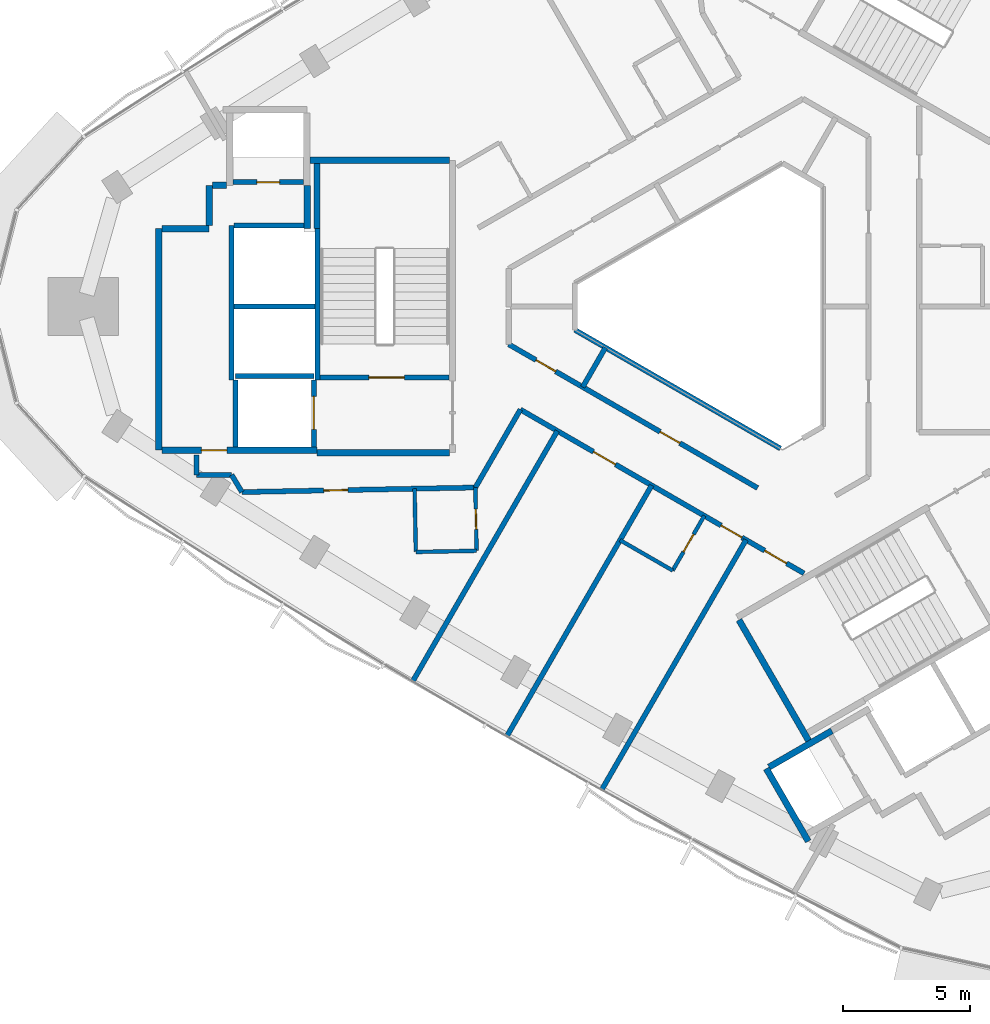
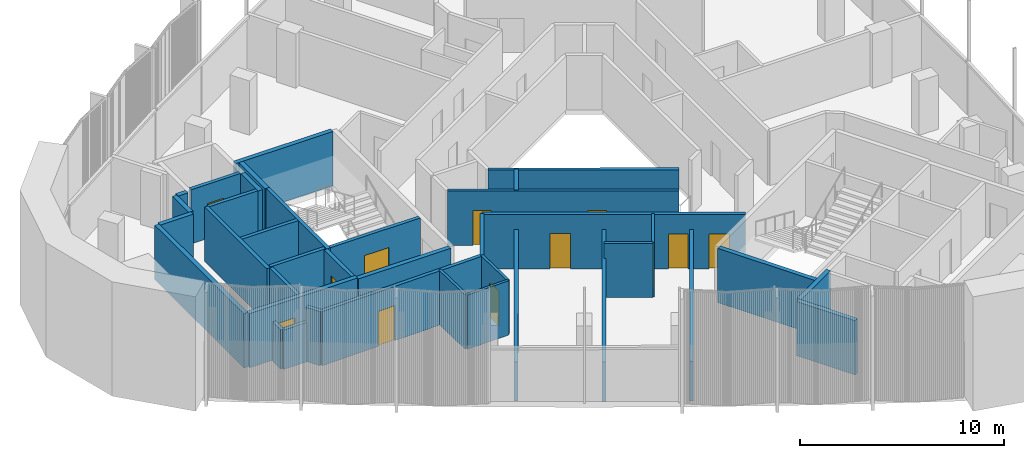
# One storey, part 8 of 16: 38 walls, 12 doors, 12 openings.
"""IFC4 building model written with IfcOpenShell, lengths in metres."""

from ifc_helpers import new_model, si_unit, direction, frame, frame_2d, origin, place, context, subcontext, project, spatial, rectangle, extrude, material, layer, layer_set, type_object, element, fill, save


model = new_model("IFC4")

# Units and contexts
model_context = context("Model", 3, precision=1e-05, world=origin(), true_north=direction((0.0, 1.0)))
body_context = subcontext(model_context, "Body", "Model", "MODEL_VIEW")
ifc_project = project(units=[si_unit("LENGTHUNIT", "METRE"), si_unit("AREAUNIT", "SQUARE_METRE"), si_unit("VOLUMEUNIT", "CUBIC_METRE"), si_unit("PLANEANGLEUNIT", "RADIAN"), si_unit("MASSUNIT", "GRAM", prefix="KILO")], contexts=[model_context])

# Site, building, storey
site_placement = place(None, origin())
site = spatial("IfcSite", under=ifc_project, at=site_placement, CompositionType="ELEMENT")
building_placement = place(site_placement, origin())
building = spatial("IfcBuilding", under=site, at=building_placement, Name="Tamra Quay Hotel Tower", CompositionType="ELEMENT")
storey_placement = place(building_placement, frame((0.0, 0.0, 232.199951171875)))
storey = spatial("IfcBuildingStorey", under=building, at=storey_placement, Name="L58", CompositionType="ELEMENT", Elevation=232.199951171875)

# Walls
ifc_material_1 = material(Name="Concrete M70", Category="concrete")
ifc_layer_1 = layer(ifc_material_1, 0.199951171875)
ifc_layer_set_1 = layer_set([ifc_layer_1], Name="Concrete M70 core wall 200")
wall_type_1 = type_object("IfcWallType", Name="Concrete M70 core wall 200", PredefinedType="SHEAR", material=ifc_layer_set_1)
wall_1_placement = place(storey_placement, frame((-16.162109375, 3.073974609375, 0.0), z_axis=(0.0, 0.0, 1.0), x_axis=(0.0, -1.0, 0.0)))
element("IfcWall", 1, at=wall_1_placement, inside=storey, type_object=wall_type_1, Name="CW2", PredefinedType="SHEAR", context=body_context, shape_type="SweptSolid", body=[
    extrude(rectangle(XDim=5.97412109375, YDim=0.199951171875, at=frame_2d((2.987060546875, 0.0))), origin(), (0.0, 0.0, 1.0), 3.25),
])
wall_2_placement = place(storey_placement, frame((-19.5625, -2.900146484375, 0.0), z_axis=(0.0, 0.0, 1.0), x_axis=(0.0, 1.0, 0.0)))
element("IfcWall", 2, at=wall_2_placement, inside=storey, type_object=wall_type_1, Name="CW2", PredefinedType="SHEAR", context=body_context, shape_type="SweptSolid", body=[
    extrude(rectangle(XDim=6.100341796875, YDim=0.199951171875, at=frame_2d((3.05029296875, 0.0))), origin(), (0.0, 0.0, 1.0), 3.25),
])

# Wall, opening, door
wall_3_placement = place(storey_placement, frame((-10.96337890625, -2.800048828125, 0.0), z_axis=(0.0, 0.0, 1.0), x_axis=(-1.0, 0.0, 0.0)))
wall_3 = element("IfcWall", 3, at=wall_3_placement, inside=storey, type_object=wall_type_1, Name="CW2", PredefinedType="SHEAR", context=body_context, shape_type="SweptSolid", body=[
    extrude(rectangle(XDim=5.097900390625, YDim=0.199951171875, at=frame_2d((2.548828125, 0.0))), origin(), (0.0, 0.0, 1.0), 3.25),
])
opening_1_placement = place(wall_3_placement, frame((1.77392578125, 0.0, 0.0)))
opening_1 = element("IfcOpeningElement", 4, at=opening_1_placement, cuts=wall_3, Name="Opening FD2", PredefinedType="OPENING", context=body_context, shape_type="SweptSolid", body=[
    extrude(rectangle(XDim=1.39990234375, YDim=2.10009765625, at=frame_2d((0.699951171875, 1.050048828125))), frame((0.0, 0.10986328125, 0.0), z_axis=(0.0, -1.0, 0.0), x_axis=(1.0, 0.0, 0.0)), (0.0, 0.0, 1.0), 0.219970703125),
])
ifc_material_2 = material(Name="Core door FD2 1400x2100 RH")
door_type_1 = type_object("IfcDoorType", Name="Core door FD2 1400x2100 RH", OperationType="NOTDEFINED", PredefinedType="DOOR", material=ifc_material_2)
door_1_placement = place(opening_1_placement, origin())
door_1 = element("IfcDoor", 5, at=door_1_placement, inside=storey, type_object=door_type_1, Name="FD2", OperationType="SINGLE_SWING_RIGHT", OverallHeight=2.10009765625, OverallWidth=1.39990234375, PredefinedType="DOOR", context=body_context, shape_type="SweptSolid", body=[
    extrude(rectangle(XDim=1.39990234375, YDim=2.10009765625, at=frame_2d((0.699951171875, 1.050048828125))), frame((0.0, 0.02490234375, 0.0), z_axis=(0.0, -1.0, 0.0), x_axis=(1.0, 0.0, 0.0)), (0.0, 0.0, 1.0), 0.050048828125),
])
fill(opening_1, door_1)

# Wall
wall_4_placement = place(storey_placement, frame((-16.26318359375, 0.0, 0.0), z_axis=(0.0, 0.0, 1.0), x_axis=(-1.0, 0.0, 0.0)))
element("IfcWall", 6, at=wall_4_placement, inside=storey, type_object=wall_type_1, Name="CW2", PredefinedType="SHEAR", context=body_context, shape_type="SweptSolid", body=[
    extrude(rectangle(XDim=3.1982421875, YDim=0.199951171875, at=frame_2d((1.59912109375, 0.0))), origin(), (0.0, 0.0, 1.0), 3.25),
])

# Wall, opening, door
wall_5_placement = place(storey_placement, frame((-19.51123046875, 4.91015625, 0.0), z_axis=(0.0, 0.0, 1.0), x_axis=(1.0, 0.0, 0.0)))
wall_5 = element("IfcWall", 7, at=wall_5_placement, inside=storey, type_object=wall_type_1, Name="CW2", PredefinedType="SHEAR", context=body_context, shape_type="SweptSolid", body=[
    extrude(rectangle(XDim=2.7978515625, YDim=0.199951171875, at=frame_2d((1.39892578125, 0.0))), origin(), (0.0, 0.0, 1.0), 3.25),
])
opening_2_placement = place(wall_5_placement, frame((0.948974609375, 0.0, 0.0)))
opening_2 = element("IfcOpeningElement", 8, at=opening_2_placement, cuts=wall_5, Name="Opening D1", PredefinedType="OPENING", context=body_context, shape_type="SweptSolid", body=[
    extrude(rectangle(XDim=0.89990234375, YDim=2.10009765625, at=frame_2d((0.449951171875, 1.050048828125))), frame((0.0, 0.10986328125, 0.0), z_axis=(0.0, -1.0, 0.0), x_axis=(1.0, 0.0, 0.0)), (0.0, 0.0, 1.0), 0.219970703125),
])
ifc_material_3 = material(Name="Core door D1 900x2100 LH")
door_type_2 = type_object("IfcDoorType", Name="Core door D1 900x2100 LH", OperationType="NOTDEFINED", PredefinedType="DOOR", material=ifc_material_3)
door_2_placement = place(opening_2_placement, origin())
door_2 = element("IfcDoor", 9, at=door_2_placement, inside=storey, type_object=door_type_2, Name="D1", OperationType="SINGLE_SWING_LEFT", OverallHeight=2.10009765625, OverallWidth=0.89990234375, PredefinedType="DOOR", context=body_context, shape_type="SweptSolid", body=[
    extrude(rectangle(XDim=0.89990234375, YDim=2.10009765625, at=frame_2d((0.449951171875, 1.050048828125))), frame((0.0, 0.02490234375, 0.0), z_axis=(0.0, -1.0, 0.0), x_axis=(1.0, 0.0, 0.0)), (0.0, 0.0, 1.0), 0.050048828125),
])
fill(opening_2, door_2)

# Walls
wall_6_placement = place(storey_placement, frame((-19.46240234375, 3.2001953125, 0.0), z_axis=(0.0, 0.0, 1.0), x_axis=(1.0, 0.0, 0.0)))
element("IfcWall", 10, at=wall_6_placement, inside=storey, type_object=wall_type_1, Name="CW2", PredefinedType="SHEAR", context=body_context, shape_type="SweptSolid", body=[
    extrude(rectangle(XDim=2.759033203125, YDim=0.199951171875, at=frame_2d((1.37939453125, 0.0))), origin(), (0.0, 0.0, 1.0), 3.25),
])
wall_7_placement = place(storey_placement, frame((-19.412353515625, -2.75, 0.0), z_axis=(0.0, 0.0, 1.0), x_axis=(1.0, 0.0, 0.0)))
element("IfcWall", 11, at=wall_7_placement, inside=storey, type_object=wall_type_1, Name="CW2", PredefinedType="SHEAR", context=body_context, shape_type="SweptSolid", body=[
    extrude(rectangle(XDim=3.10009765625, YDim=0.199951171875, at=frame_2d((1.550048828125, 0.0))), origin(), (0.0, 0.0, 1.0), 3.25),
])

# Wall, opening, door
wall_8_placement = place(storey_placement, frame((-16.312255859375, -2.898193359375, 0.0), z_axis=(0.0, 0.0, 1.0), x_axis=(0.0, -1.0, 0.0)))
wall_8 = element("IfcWall", 12, at=wall_8_placement, inside=storey, type_object=wall_type_1, Name="CW2", PredefinedType="SHEAR", context=body_context, shape_type="SweptSolid", body=[
    extrude(rectangle(XDim=2.65087890625, YDim=0.199951171875, at=frame_2d((1.325439453125, 0.0))), origin(), (0.0, 0.0, 1.0), 3.25),
])
opening_3_placement = place(wall_8_placement, frame((0.65185546875, 0.0, 0.0)))
opening_3 = element("IfcOpeningElement", 13, at=opening_3_placement, cuts=wall_8, Name="Opening LD", PredefinedType="OPENING", context=body_context, shape_type="SweptSolid", body=[
    extrude(rectangle(XDim=1.300048828125, YDim=2.10009765625, at=frame_2d((0.64990234375, 1.050048828125))), frame((0.0, 0.10986328125, 0.0), z_axis=(0.0, -1.0, 0.0), x_axis=(1.0, 0.0, 0.0)), (0.0, 0.0, 1.0), 0.219970703125),
])
ifc_material_4 = material(Name="Landing door LD 1300 sliding to right")
door_type_3 = type_object("IfcDoorType", Name="Landing door LD 1300 sliding to right", OperationType="NOTDEFINED", PredefinedType="DOOR", material=ifc_material_4)
door_3_placement = place(opening_3_placement, origin())
door_3 = element("IfcDoor", 14, at=door_3_placement, inside=storey, type_object=door_type_3, Name="LD", OperationType="SLIDING_TO_RIGHT", OverallHeight=2.10009765625, OverallWidth=1.300048828125, PredefinedType="DOOR", context=body_context, shape_type="SweptSolid", body=[
    extrude(rectangle(XDim=1.300048828125, YDim=2.10009765625, at=frame_2d((0.64990234375, 1.050048828125))), frame((0.0, 0.02490234375, 0.0), z_axis=(0.0, -1.0, 0.0), x_axis=(1.0, 0.0, 0.0)), (0.0, 0.0, 1.0), 0.050048828125),
])
fill(opening_3, door_3)

# Walls
wall_9_placement = place(storey_placement, frame((-19.412353515625, -5.549072265625, 0.0), z_axis=(0.0, 0.0, 1.0), x_axis=(0.0, 1.0, 0.0)))
element("IfcWall", 15, at=wall_9_placement, inside=storey, type_object=wall_type_1, Name="CW2", PredefinedType="SHEAR", context=body_context, shape_type="SweptSolid", body=[
    extrude(rectangle(XDim=2.65087890625, YDim=0.199951171875, at=frame_2d((1.325439453125, 0.0))), origin(), (0.0, 0.0, 1.0), 3.25),
])
ifc_layer_2 = layer(ifc_material_1, 0.25)
ifc_layer_set_2 = layer_set([ifc_layer_2], Name="Concrete M70 core wall 250")
wall_type_2 = type_object("IfcWallType", Name="Concrete M70 core wall 250", PredefinedType="SHEAR", material=ifc_layer_set_2)
wall_10_placement = place(storey_placement, frame((-22.437255859375, -5.675048828125, 0.0), z_axis=(0.0, 0.0, 1.0), x_axis=(0.0, 1.0, 0.0)))
element("IfcWall", 16, at=wall_10_placement, inside=storey, type_object=wall_type_2, Name="CW1", PredefinedType="SHEAR", context=body_context, shape_type="SweptSolid", body=[
    extrude(rectangle(XDim=8.75, YDim=0.25, at=frame_2d((4.375, 0.0))), origin(), (0.0, 0.0, 1.0), 3.25),
])

# Wall, opening, door
wall_11_placement = place(storey_placement, frame((-16.187255859375, -5.675048828125, 0.0), z_axis=(0.0, 0.0, 1.0), x_axis=(-1.0, 0.0, 0.0)))
wall_11 = element("IfcWall", 17, at=wall_11_placement, inside=storey, type_object=wall_type_2, Name="CW1", PredefinedType="SHEAR", context=body_context, shape_type="SweptSolid", body=[
    extrude(rectangle(XDim=6.12451171875, YDim=0.25, at=frame_2d((3.062255859375, 0.0))), origin(), (0.0, 0.0, 1.0), 3.25),
])
opening_4_placement = place(wall_11_placement, frame((3.562744140625, 0.0, 0.0)))
opening_4 = element("IfcOpeningElement", 18, at=opening_4_placement, cuts=wall_11, Name="Opening FD3", PredefinedType="OPENING", context=body_context, shape_type="SweptSolid", body=[
    extrude(rectangle(XDim=1.0, YDim=2.10009765625, at=frame_2d((0.5, 1.050048828125))), frame((0.0, 0.135009765625, 0.0), z_axis=(0.0, -1.0, 0.0), x_axis=(1.0, 0.0, 0.0)), (0.0, 0.0, 1.0), 0.27001953125),
])
ifc_material_5 = material(Name="Core door FD3 1000x2100 LH")
door_type_4 = type_object("IfcDoorType", Name="Core door FD3 1000x2100 LH", OperationType="NOTDEFINED", PredefinedType="DOOR", material=ifc_material_5)
door_4_placement = place(opening_4_placement, origin())
door_4 = element("IfcDoor", 19, at=door_4_placement, inside=storey, type_object=door_type_4, Name="FD3", OperationType="SINGLE_SWING_LEFT", OverallHeight=2.10009765625, OverallWidth=1.0, PredefinedType="DOOR", context=body_context, shape_type="SweptSolid", body=[
    extrude(rectangle(XDim=1.0, YDim=2.10009765625, at=frame_2d((0.5, 1.050048828125))), frame((0.0, 0.02490234375, 0.0), z_axis=(0.0, -1.0, 0.0), x_axis=(1.0, 0.0, 0.0)), (0.0, 0.0, 1.0), 0.050048828125),
])
fill(opening_4, door_4)

# Walls
wall_12_placement = place(storey_placement, frame((-10.962646484375, -5.77490234375, 0.0), z_axis=(0.0, 0.0, 1.0), x_axis=(-1.0, 0.0, 0.0)))
element("IfcWall", 20, at=wall_12_placement, inside=storey, type_object=wall_type_2, Name="CW1", PredefinedType="SHEAR", context=body_context, shape_type="SweptSolid", body=[
    extrude(rectangle(XDim=5.224609375, YDim=0.25, at=frame_2d((2.6123046875, 0.0))), origin(), (0.0, 0.0, 1.0), 3.25),
])
wall_13_placement = place(storey_placement, frame((-16.47216796875, 5.77490234375, 0.0), z_axis=(0.0, 0.0, 1.0), x_axis=(1.0, 0.0, 0.0)))
element("IfcWall", 21, at=wall_13_placement, inside=storey, type_object=wall_type_2, Name="CW1", PredefinedType="SHEAR", context=body_context, shape_type="SweptSolid", body=[
    extrude(rectangle(XDim=5.509521484375, YDim=0.25, at=frame_2d((2.7548828125, 0.0))), origin(), (0.0, 0.0, 1.0), 3.25),
])
wall_14_placement = place(storey_placement, frame((-16.187255859375, 3.074951171875, 0.0), z_axis=(0.0, 0.0, 1.0), x_axis=(0.0, 1.0, 0.0)))
element("IfcWall", 22, at=wall_14_placement, inside=storey, type_object=wall_type_2, Name="CW1", PredefinedType="SHEAR", context=body_context, shape_type="SweptSolid", body=[
    extrude(rectangle(XDim=2.57470703125, YDim=0.25, at=frame_2d((1.287353515625, 0.0))), origin(), (0.0, 0.0, 1.0), 3.25),
])
wall_15_placement = place(storey_placement, frame((-22.311767578125, 3.074951171875, 0.0), z_axis=(0.0, 0.0, 1.0), x_axis=(1.0, 0.0, 0.0)))
element("IfcWall", 23, at=wall_15_placement, inside=storey, type_object=wall_type_2, Name="CW1", PredefinedType="SHEAR", context=body_context, shape_type="SweptSolid", body=[
    extrude(rectangle(XDim=1.864501953125, YDim=0.25, at=frame_2d((0.93212890625, 0.0))), origin(), (0.0, 0.0, 1.0), 3.25),
])
wall_16_placement = place(storey_placement, frame((-16.577392578125, 4.784912109375, 0.0), z_axis=(0.0, 0.0, 1.0), x_axis=(0.0, -1.0, 0.0)))
element("IfcWall", 24, at=wall_16_placement, inside=storey, type_object=wall_type_2, Name="CW1", PredefinedType="SHEAR", context=body_context, shape_type="SweptSolid", body=[
    extrude(rectangle(XDim=1.7099609375, YDim=0.25, at=frame_2d((0.85498046875, 0.0))), origin(), (0.0, 0.0, 1.0), 3.25),
])
wall_17_placement = place(storey_placement, frame((-20.447265625, 3.200439453125, 0.0), z_axis=(0.0, 0.0, 1.0), x_axis=(0.0, 1.0, 0.0)))
element("IfcWall", 25, at=wall_17_placement, inside=storey, type_object=wall_type_2, Name="CW1", PredefinedType="SHEAR", context=body_context, shape_type="SweptSolid", body=[
    extrude(rectangle(XDim=1.58447265625, YDim=0.25, at=frame_2d((0.792236328125, 0.0))), origin(), (0.0, 0.0, 1.0), 3.25),
])
wall_18_placement = place(storey_placement, frame((-20.32177734375, 4.784912109375, 0.0), z_axis=(0.0, 0.0, 1.0), x_axis=(1.0, 0.0, 0.0)))
element("IfcWall", 26, at=wall_18_placement, inside=storey, type_object=wall_type_2, Name="CW1", PredefinedType="SHEAR", context=body_context, shape_type="SweptSolid", body=[
    extrude(rectangle(XDim=0.55908203125, YDim=0.25, at=frame_2d((0.279541015625, 0.0))), origin(), (0.0, 0.0, 1.0), 3.25),
])
wall_19_placement = place(storey_placement, frame((3.23486328125, -17.15283203125, 0.0), z_axis=(0.0, 0.0, 1.0), x_axis=(-0.500008851346, 0.866020293397, 0.0)))
element("IfcWall", 27, at=wall_19_placement, inside=storey, type_object=wall_type_2, Name="CW1", PredefinedType="SHEAR", context=body_context, shape_type="SweptSolid", body=[
    extrude(rectangle(XDim=5.509765625, YDim=0.25, at=frame_2d((2.7548828125, 0.0))), origin(), (0.0, 0.0, 1.0), 3.25),
])
wall_20_placement = place(storey_placement, frame((3.216796875, -21.12158203125, 0.0), z_axis=(0.0, 0.0, 1.0), x_axis=(-0.499998874531, 0.866026053573, 0.0)))
element("IfcWall", 28, at=wall_20_placement, inside=storey, type_object=wall_type_2, Name="CW1", PredefinedType="SHEAR", context=body_context, shape_type="SweptSolid", body=[
    extrude(rectangle(XDim=3.31298828125, YDim=0.25, at=frame_2d((1.656494140625, 0.0))), origin(), (0.0, 0.0, 1.0), 3.25),
])
wall_21_placement = place(storey_placement, frame((1.6689453125, -18.189697265625, 0.0), z_axis=(0.0, 0.0, 1.0), x_axis=(0.866042235819, 0.499970844928, 0.0)))
element("IfcWall", 29, at=wall_21_placement, inside=storey, type_object=wall_type_2, Name="CW1", PredefinedType="SHEAR", context=body_context, shape_type="SweptSolid", body=[
    extrude(rectangle(XDim=2.864501953125, YDim=0.25, at=frame_2d((1.43212890625, 0.0))), origin(), (0.0, 0.0, 1.0), 3.25),
])
ifc_material_6 = material(Name="Partition corridor wall")
ifc_layer_3 = layer(ifc_material_6, 0.199951171875)
ifc_layer_set_3 = layer_set([ifc_layer_3], Name="Partition corridor wall")
wall_type_3 = type_object("IfcWallType", Name="Partition corridor wall", PredefinedType="PARTITIONING", material=ifc_layer_set_3)
wall_22_placement = place(storey_placement, frame((-20.949951171875, -6.64990234375, 0.0), z_axis=(0.0, 0.0, 1.0), x_axis=(0.0, 1.0, 0.0)))
element("IfcWall", 30, at=wall_22_placement, inside=storey, type_object=wall_type_3, Name="W-C", PredefinedType="PARTITIONING", context=body_context, shape_type="SweptSolid", body=[
    extrude(rectangle(XDim=0.789794921875, YDim=0.199951171875, at=frame_2d((0.39501953125, 0.0))), origin(), (0.0, 0.0, 1.0), 2.35009765625),
])
wall_23_placement = place(storey_placement, frame((-20.949951171875, -6.64990234375, 0.0), z_axis=(0.0, 0.0, 1.0), x_axis=(1.0, 0.0, 0.0)))
element("IfcWall", 31, at=wall_23_placement, inside=storey, type_object=wall_type_3, Name="W-C", PredefinedType="PARTITIONING", context=body_context, shape_type="SweptSolid", body=[
    extrude(rectangle(XDim=1.389892578125, YDim=0.199951171875, at=frame_2d((0.69482421875, 0.0))), origin(), (0.0, 0.0, 1.0), 2.35009765625),
])
wall_24_placement = place(storey_placement, frame((-19.56005859375, -6.64990234375, 0.0), z_axis=(0.0, 0.0, 1.0), x_axis=(0.517618709346, -0.855611402294, 0.0)))
element("IfcWall", 32, at=wall_24_placement, inside=storey, type_object=wall_type_3, Name="W-C", PredefinedType="PARTITIONING", context=body_context, shape_type="SweptSolid", body=[
    extrude(rectangle(XDim=0.79248046875, YDim=0.199951171875, at=frame_2d((0.396240234375, 0.0))), origin(), (0.0, 0.0, 1.0), 3.25),
])

# Wall, opening, door
wall_25_placement = place(storey_placement, frame((-19.14892578125, -7.3291015625, 0.0), z_axis=(0.0, 0.0, 1.0), x_axis=(0.999810023919, 0.019491435849, 0.0)))
wall_25 = element("IfcWall", 33, at=wall_25_placement, inside=storey, type_object=wall_type_3, Name="W-C", PredefinedType="PARTITIONING", context=body_context, shape_type="SweptSolid", body=[
    extrude(rectangle(XDim=9.21875, YDim=0.199951171875, at=frame_2d((4.609375, 0.0))), origin(), (0.0, 0.0, 1.0), 3.25),
])
opening_5_placement = place(wall_25_placement, frame((3.230224609375, 0.0, 0.0)))
opening_5 = element("IfcOpeningElement", 34, at=opening_5_placement, cuts=wall_25, Name="Opening L58-D007", PredefinedType="OPENING", context=body_context, shape_type="SweptSolid", body=[
    extrude(rectangle(XDim=0.949951171875, YDim=2.10009765625, at=frame_2d((0.47509765625, 1.050048828125))), frame((0.0, 0.10986328125, 0.0), z_axis=(0.0, -1.0, 0.0), x_axis=(1.0, 0.0, 0.0)), (0.0, 0.0, 1.0), 0.219970703125),
])
ifc_material_7 = material(Name="Door guest room 950x2100")
door_type_5 = type_object("IfcDoorType", Name="Door guest room 950x2100", OperationType="NOTDEFINED", PredefinedType="DOOR", material=ifc_material_7)
door_5_placement = place(opening_5_placement, origin())
door_5 = element("IfcDoor", 35, at=door_5_placement, inside=storey, type_object=door_type_5, Name="L58-D007", OperationType="SINGLE_SWING_LEFT", OverallHeight=2.10009765625, OverallWidth=0.949951171875, PredefinedType="DOOR", context=body_context, shape_type="SweptSolid", body=[
    extrude(rectangle(XDim=0.949951171875, YDim=2.10009765625, at=frame_2d((0.47509765625, 1.050048828125))), frame((0.0, 0.02490234375, 0.0), z_axis=(0.0, -1.0, 0.0), x_axis=(1.0, 0.0, 0.0)), (0.0, 0.0, 1.0), 0.050048828125),
])
fill(opening_5, door_5)

# Wall
wall_26_placement = place(storey_placement, frame((-9.930908203125, -7.14892578125, 0.0), z_axis=(0.0, 0.0, 1.0), x_axis=(0.499934418432, 0.86606326401, 0.0)))
element("IfcWall", 36, at=wall_26_placement, inside=storey, type_object=wall_type_3, Name="W-C", PredefinedType="PARTITIONING", context=body_context, shape_type="SweptSolid", body=[
    extrude(rectangle(XDim=3.55615234375, YDim=0.199951171875, at=frame_2d((1.778076171875, 0.0))), origin(), (0.0, 0.0, 1.0), 3.25),
])

# Wall, openings, doors
wall_27_placement = place(storey_placement, frame((-8.612060546875, -1.493896484375, 0.0), z_axis=(0.0, 0.0, 1.0), x_axis=(0.866035468681, -0.499982566683, 0.0)))
wall_27 = element("IfcWall", 37, at=wall_27_placement, inside=storey, type_object=wall_type_3, Name="W-C", PredefinedType="PARTITIONING", context=body_context, shape_type="SweptSolid", body=[
    extrude(rectangle(XDim=11.34765625, YDim=0.199951171875, at=frame_2d((5.673828125, 0.0))), origin(), (0.0, 0.0, 1.0), 3.25),
])
opening_6_placement = place(wall_27_placement, frame((1.240966796875, 0.0, 0.0)))
opening_6 = element("IfcOpeningElement", 38, at=opening_6_placement, cuts=wall_27, Name="Opening L58-D021", PredefinedType="OPENING", context=body_context, shape_type="SweptSolid", body=[
    extrude(rectangle(XDim=0.89990234375, YDim=2.10009765625, at=frame_2d((0.449951171875, 1.050048828125))), frame((0.0, 0.10986328125, 0.0), z_axis=(0.0, -1.0, 0.0), x_axis=(1.0, 0.0, 0.0)), (0.0, 0.0, 1.0), 0.219970703125),
])
opening_7_placement = place(wall_27_placement, frame((6.903076171875, 0.0, 0.0)))
opening_7 = element("IfcOpeningElement", 39, at=opening_7_placement, cuts=wall_27, Name="Opening L58-D022", PredefinedType="OPENING", context=body_context, shape_type="SweptSolid", body=[
    extrude(rectangle(XDim=0.89990234375, YDim=2.10009765625, at=frame_2d((0.449951171875, 1.050048828125))), frame((0.0, 0.10986328125, 0.0), z_axis=(0.0, -1.0, 0.0), x_axis=(1.0, 0.0, 0.0)), (0.0, 0.0, 1.0), 0.219970703125),
])
ifc_material_8 = material(Name="Door service room 900x2100")
door_type_6 = type_object("IfcDoorType", Name="Door service room 900x2100", OperationType="NOTDEFINED", PredefinedType="DOOR", material=ifc_material_8)
door_6_placement = place(opening_6_placement, origin())
door_6 = element("IfcDoor", 40, at=door_6_placement, inside=storey, type_object=door_type_6, Name="L58-D021", OperationType="SINGLE_SWING_LEFT", OverallHeight=2.10009765625, OverallWidth=0.89990234375, PredefinedType="DOOR", context=body_context, shape_type="SweptSolid", body=[
    extrude(rectangle(XDim=0.89990234375, YDim=2.10009765625, at=frame_2d((0.449951171875, 1.050048828125))), frame((0.0, 0.02490234375, 0.0), z_axis=(0.0, -1.0, 0.0), x_axis=(1.0, 0.0, 0.0)), (0.0, 0.0, 1.0), 0.050048828125),
])
fill(opening_6, door_6)
door_7_placement = place(opening_7_placement, origin())
door_7 = element("IfcDoor", 41, at=door_7_placement, inside=storey, type_object=door_type_6, Name="L58-D022", OperationType="SINGLE_SWING_LEFT", OverallHeight=2.10009765625, OverallWidth=0.89990234375, PredefinedType="DOOR", context=body_context, shape_type="SweptSolid", body=[
    extrude(rectangle(XDim=0.89990234375, YDim=2.10009765625, at=frame_2d((0.449951171875, 1.050048828125))), frame((0.0, 0.02490234375, 0.0), z_axis=(0.0, -1.0, 0.0), x_axis=(1.0, 0.0, 0.0)), (0.0, 0.0, 1.0), 0.050048828125),
])
fill(opening_7, door_7)

wall_28_placement = place(storey_placement, frame((-8.153076171875, -4.069091796875, 0.0), z_axis=(0.0, 0.0, 1.0), x_axis=(0.865955522833, -0.500121017829, 0.0)))
wall_28 = element("IfcWall", 42, at=wall_28_placement, inside=storey, type_object=wall_type_3, Name="W-C", PredefinedType="PARTITIONING", context=body_context, shape_type="SweptSolid", body=[
    extrude(rectangle(XDim=12.937255859375, YDim=0.199951171875, at=frame_2d((6.46875, 0.0))), origin(), (0.0, 0.0, 1.0), 3.25),
])
opening_8_placement = place(wall_28_placement, frame((3.337158203125, 0.0, 0.0)))
opening_8 = element("IfcOpeningElement", 43, at=opening_8_placement, cuts=wall_28, Name="Opening L58-D009", PredefinedType="OPENING", context=body_context, shape_type="SweptSolid", body=[
    extrude(rectangle(XDim=1.0, YDim=2.10009765625, at=frame_2d((0.5, 1.050048828125))), frame((0.0, 0.10986328125, 0.0), z_axis=(0.0, -1.0, 0.0), x_axis=(1.0, 0.0, 0.0)), (0.0, 0.0, 1.0), 0.219970703125),
])
opening_9_placement = place(wall_28_placement, frame((9.153076171875, 0.0, 0.0)))
opening_9 = element("IfcOpeningElement", 44, at=opening_9_placement, cuts=wall_28, Name="Opening L58-D010", PredefinedType="OPENING", context=body_context, shape_type="SweptSolid", body=[
    extrude(rectangle(XDim=0.949951171875, YDim=2.10009765625, at=frame_2d((0.47509765625, 1.050048828125))), frame((0.0, 0.10986328125, 0.0), z_axis=(0.0, -1.0, 0.0), x_axis=(1.0, 0.0, 0.0)), (0.0, 0.0, 1.0), 0.219970703125),
])
opening_10_placement = place(wall_28_placement, frame((11.1435546875, 0.0, 0.0)))
opening_10 = element("IfcOpeningElement", 45, at=opening_10_placement, cuts=wall_28, Name="Opening L58-D012", PredefinedType="OPENING", context=body_context, shape_type="SweptSolid", body=[
    extrude(rectangle(XDim=1.0, YDim=2.10009765625, at=frame_2d((0.5, 1.050048828125))), frame((0.0, 0.10986328125, 0.0), z_axis=(0.0, -1.0, 0.0), x_axis=(1.0, 0.0, 0.0)), (0.0, 0.0, 1.0), 0.219970703125),
])
ifc_material_9 = material(Name="Door guest room 1000x2100")
door_type_7 = type_object("IfcDoorType", Name="Door guest room 1000x2100", OperationType="NOTDEFINED", PredefinedType="DOOR", material=ifc_material_9)
door_8_placement = place(opening_8_placement, frame((1.0, 0.0, 0.0), z_axis=(0.0, 0.0, 1.0), x_axis=(-1.0, 0.0, 0.0)))
door_8 = element("IfcDoor", 46, at=door_8_placement, inside=storey, type_object=door_type_7, Name="L58-D009", OperationType="SINGLE_SWING_LEFT", OverallHeight=2.10009765625, OverallWidth=1.0, PredefinedType="DOOR", context=body_context, shape_type="SweptSolid", body=[
    extrude(rectangle(XDim=1.0, YDim=2.10009765625, at=frame_2d((0.5, 1.050048828125))), frame((0.0, 0.02490234375, 0.0), z_axis=(0.0, -1.0, 0.0), x_axis=(1.0, 0.0, 0.0)), (0.0, 0.0, 1.0), 0.050048828125),
])
fill(opening_8, door_8)
door_9_placement = place(opening_10_placement, frame((1.0, 0.0, 0.0), z_axis=(0.0, 0.0, 1.0), x_axis=(-1.0, 0.0, 0.0)))
door_9 = element("IfcDoor", 47, at=door_9_placement, inside=storey, type_object=door_type_7, Name="L58-D012", OperationType="SINGLE_SWING_LEFT", OverallHeight=2.10009765625, OverallWidth=1.0, PredefinedType="DOOR", context=body_context, shape_type="SweptSolid", body=[
    extrude(rectangle(XDim=1.0, YDim=2.10009765625, at=frame_2d((0.5, 1.050048828125))), frame((0.0, 0.02490234375, 0.0), z_axis=(0.0, -1.0, 0.0), x_axis=(1.0, 0.0, 0.0)), (0.0, 0.0, 1.0), 0.050048828125),
])
fill(opening_10, door_9)
door_10_placement = place(opening_9_placement, frame((0.949951171875, 0.0, 0.0), z_axis=(0.0, 0.0, 1.0), x_axis=(-1.0, 0.0, 0.0)))
door_10 = element("IfcDoor", 48, at=door_10_placement, inside=storey, type_object=door_type_5, Name="L58-D010", OperationType="SINGLE_SWING_LEFT", OverallHeight=2.10009765625, OverallWidth=0.949951171875, PredefinedType="DOOR", context=body_context, shape_type="SweptSolid", body=[
    extrude(rectangle(XDim=0.949951171875, YDim=2.10009765625, at=frame_2d((0.47509765625, 1.050048828125))), frame((0.0, 0.02490234375, 0.0), z_axis=(0.0, -1.0, 0.0), x_axis=(1.0, 0.0, 0.0)), (0.0, 0.0, 1.0), 0.050048828125),
])
fill(opening_9, door_10)

# Walls
ifc_material_10 = material(Name="Partition en-suite wall")
ifc_layer_4 = layer(ifc_material_10, 0.14990234375)
ifc_layer_set_4 = layer_set([ifc_layer_4], Name="Partition en-suite wall")
wall_type_4 = type_object("IfcWallType", Name="Partition en-suite wall", PredefinedType="PARTITIONING", material=ifc_layer_set_4)
wall_29_placement = place(storey_placement, frame((-12.33203125, -7.197021484375, 0.0), z_axis=(0.0, 0.0, 1.0), x_axis=(0.019719450113, -0.999805552739, 0.0)))
element("IfcWall", 49, at=wall_29_placement, inside=storey, type_object=wall_type_4, Name="W-E", PredefinedType="PARTITIONING", context=body_context, shape_type="SweptSolid", body=[
    extrude(rectangle(XDim=2.488525390625, YDim=0.14990234375, at=frame_2d((1.244140625, 0.0))), origin(), (0.0, 0.0, 1.0), 3.25),
])
wall_30_placement = place(storey_placement, frame((-12.27294921875, -9.695068359375, 0.0), z_axis=(0.0, 0.0, 1.0), x_axis=(0.999812094216, 0.019384949303, 0.0)))
element("IfcWall", 50, at=wall_30_placement, inside=storey, type_object=wall_type_4, Name="W-E", PredefinedType="PARTITIONING", context=body_context, shape_type="SweptSolid", body=[
    extrude(rectangle(XDim=2.38037109375, YDim=0.14990234375, at=frame_2d((1.190185546875, 0.0))), origin(), (0.0, 0.0, 1.0), 3.25),
])

# Wall, opening, door
wall_31_placement = place(storey_placement, frame((-9.931884765625, -7.15087890625, 0.0), z_axis=(0.0, 0.0, 1.0), x_axis=(0.019621381261, -0.999807482167, 0.0)))
wall_31 = element("IfcWall", 51, at=wall_31_placement, inside=storey, type_object=wall_type_4, Name="W-E", PredefinedType="PARTITIONING", context=body_context, shape_type="SweptSolid", body=[
    extrude(rectangle(XDim=2.488525390625, YDim=0.14990234375, at=frame_2d((1.244140625, 0.0))), origin(), (0.0, 0.0, 1.0), 3.25),
])
opening_11_placement = place(wall_31_placement, frame((0.847900390625, 0.0, 0.0)))
opening_11 = element("IfcOpeningElement", 52, at=opening_11_placement, cuts=wall_31, Name="Opening L58-D008", PredefinedType="OPENING", context=body_context, shape_type="SweptSolid", body=[
    extrude(rectangle(XDim=0.800048828125, YDim=2.10009765625, at=frame_2d((0.39990234375, 1.050048828125))), frame((0.0, 0.0849609375, 0.0), z_axis=(0.0, -1.0, 0.0), x_axis=(1.0, 0.0, 0.0)), (0.0, 0.0, 1.0), 0.169921875),
])
ifc_material_11 = material(Name="Door en-suite 800x2100")
door_type_8 = type_object("IfcDoorType", Name="Door en-suite 800x2100", OperationType="NOTDEFINED", PredefinedType="DOOR", material=ifc_material_11)
door_11_placement = place(opening_11_placement, frame((0.800048828125, 0.0, 0.0), z_axis=(0.0, 0.0, 1.0), x_axis=(-1.0, 0.0, 0.0)))
door_11 = element("IfcDoor", 53, at=door_11_placement, inside=storey, type_object=door_type_8, Name="L58-D008", OperationType="SINGLE_SWING_LEFT", OverallHeight=2.10009765625, OverallWidth=0.800048828125, PredefinedType="DOOR", context=body_context, shape_type="SweptSolid", body=[
    extrude(rectangle(XDim=0.800048828125, YDim=2.10009765625, at=frame_2d((0.39990234375, 1.050048828125))), frame((0.0, 0.02490234375, 0.0), z_axis=(0.0, -1.0, 0.0), x_axis=(1.0, 0.0, 0.0)), (0.0, 0.0, 1.0), 0.050048828125),
])
fill(opening_11, door_11)

# Wall
wall_32_placement = place(storey_placement, frame((-4.217041015625, -9.22802734375, 0.0), z_axis=(0.0, 0.0, 1.0), x_axis=(0.866100915363, -0.499869187296, 0.0)))
element("IfcWall", 54, at=wall_32_placement, inside=storey, type_object=wall_type_4, Name="W-E", PredefinedType="PARTITIONING", context=body_context, shape_type="SweptSolid", body=[
    extrude(rectangle(XDim=2.400634765625, YDim=0.14990234375, at=frame_2d((1.2001953125, 0.0))), origin(), (0.0, 0.0, 1.0), 3.25),
])

# Wall, opening, door
wall_33_placement = place(storey_placement, frame((-2.137939453125, -10.427978515625, 0.0), z_axis=(0.0, 0.0, 1.0), x_axis=(0.500004234368, 0.866022959057, 0.0)))
wall_33 = element("IfcWall", 55, at=wall_33_placement, inside=storey, type_object=wall_type_4, Name="W-E", PredefinedType="PARTITIONING", context=body_context, shape_type="SweptSolid", body=[
    extrude(rectangle(XDim=2.5, YDim=0.14990234375, at=frame_2d((1.25, 0.0))), origin(), (0.0, 0.0, 1.0), 3.25),
])
opening_12_placement = place(wall_33_placement, frame((0.85009765625, 0.0, 0.0)))
opening_12 = element("IfcOpeningElement", 56, at=opening_12_placement, cuts=wall_33, Name="Opening L58-D011", PredefinedType="OPENING", context=body_context, shape_type="SweptSolid", body=[
    extrude(rectangle(XDim=0.800048828125, YDim=2.10009765625, at=frame_2d((0.39990234375, 1.050048828125))), frame((0.0, 0.0849609375, 0.0), z_axis=(0.0, -1.0, 0.0), x_axis=(1.0, 0.0, 0.0)), (0.0, 0.0, 1.0), 0.169921875),
])
door_12_placement = place(opening_12_placement, origin())
door_12 = element("IfcDoor", 57, at=door_12_placement, inside=storey, type_object=door_type_8, Name="L58-D011", OperationType="SINGLE_SWING_LEFT", OverallHeight=2.10009765625, OverallWidth=0.800048828125, PredefinedType="DOOR", context=body_context, shape_type="SweptSolid", body=[
    extrude(rectangle(XDim=0.800048828125, YDim=2.10009765625, at=frame_2d((0.39990234375, 1.050048828125))), frame((0.0, 0.02490234375, 0.0), z_axis=(0.0, -1.0, 0.0), x_axis=(1.0, 0.0, 0.0)), (0.0, 0.0, 1.0), 0.050048828125),
])
fill(opening_12, door_12)

# Walls
ifc_material_12 = material(Name="Partition party wall")
ifc_layer_5 = layer(ifc_material_12, 0.199951171875)
ifc_layer_set_5 = layer_set([ifc_layer_5], Name="Partition party wall")
wall_type_5 = type_object("IfcWallType", Name="Partition party wall", PredefinedType="PARTITIONING", material=ifc_layer_set_5)
wall_34_placement = place(storey_placement, frame((-12.40673828125, -14.805908203125, 0.0), z_axis=(0.0, 0.0, 1.0), x_axis=(0.500104175471, 0.865965249693, 0.0)))
element("IfcWall", 58, at=wall_34_placement, inside=storey, type_object=wall_type_5, Name="W-P", PredefinedType="PARTITIONING", context=body_context, shape_type="SweptSolid", body=[
    extrude(rectangle(XDim=11.4228515625, YDim=0.199951171875, at=frame_2d((5.71142578125, 0.0))), origin(), (0.0, 0.0, 1.0), 2.35009765625),
])
wall_35_placement = place(storey_placement, frame((-8.6884765625, -16.97265625, 0.0), z_axis=(0.0, 0.0, 1.0), x_axis=(0.500021643343, 0.866012907634, 0.0)))
element("IfcWall", 59, at=wall_35_placement, inside=storey, type_object=wall_type_5, Name="W-P", PredefinedType="PARTITIONING", context=body_context, shape_type="SweptSolid", body=[
    extrude(rectangle(XDim=11.44287109375, YDim=0.199951171875, at=frame_2d((5.721435546875, 0.0))), origin(), (0.0, 0.0, 1.0), 2.35009765625),
])
wall_36_placement = place(storey_placement, frame((-6.0, -0.924072265625, 0.0), z_axis=(0.0, 0.0, 1.0), x_axis=(0.866223755075, -0.499656288007, 0.0)))
element("IfcWall", 60, at=wall_36_placement, inside=storey, type_object=wall_type_5, Name="W-P", PredefinedType="PARTITIONING", context=body_context, shape_type="SweptSolid", body=[
    extrude(rectangle(XDim=9.3701171875, YDim=0.199951171875, at=frame_2d((4.68505859375, 0.0))), origin(), (0.0, 0.0, 1.0), 3.25),
])
wall_37_placement = place(storey_placement, frame((-5.6923828125, -3.179443359375, 0.0), z_axis=(0.0, 0.0, 1.0), x_axis=(0.500164619231, 0.865930339964, 0.0)))
element("IfcWall", 61, at=wall_37_placement, inside=storey, type_object=wall_type_5, Name="W-P", PredefinedType="PARTITIONING", context=body_context, shape_type="SweptSolid", body=[
    extrude(rectangle(XDim=1.80029296875, YDim=0.199951171875, at=frame_2d((0.900146484375, 0.0))), origin(), (0.0, 0.0, 1.0), 3.25),
])
wall_38_placement = place(storey_placement, frame((-4.941650390625, -19.089111328125, 0.0), z_axis=(0.0, 0.0, 1.0), x_axis=(0.500021458202, 0.866013014531, 0.0)))
element("IfcWall", 62, at=wall_38_placement, inside=storey, type_object=wall_type_5, Name="W-P", PredefinedType="PARTITIONING", context=body_context, shape_type="SweptSolid", body=[
    extrude(rectangle(XDim=11.40283203125, YDim=0.199951171875, at=frame_2d((5.701416015625, 0.0))), origin(), (0.0, 0.0, 1.0), 2.35009765625),
])

save(model, "model.ifc")
